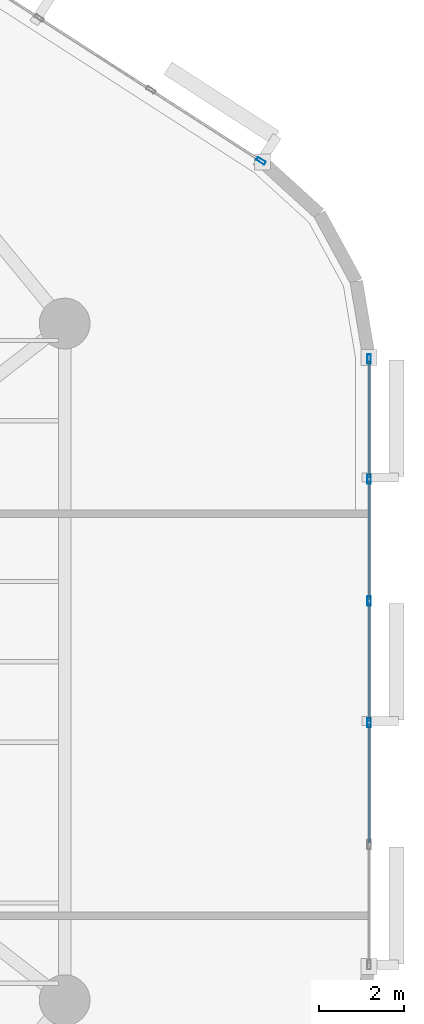
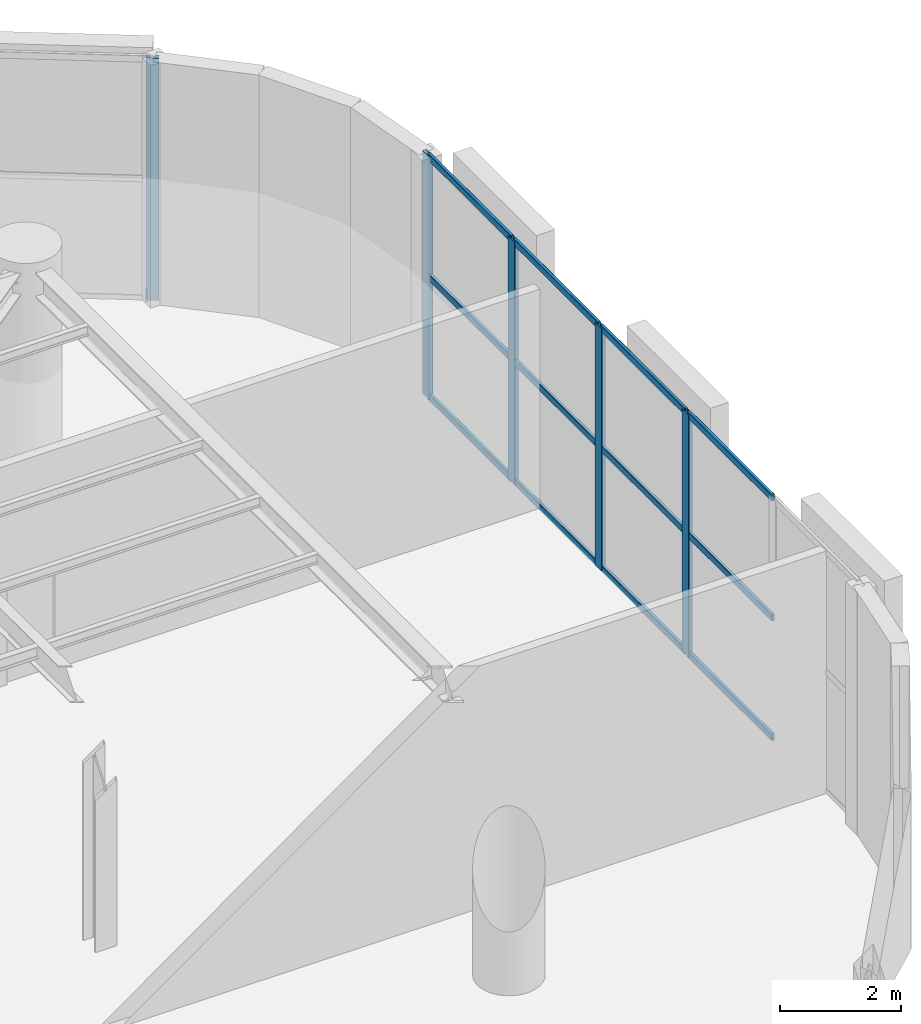
# One storey, part 4 of 12: 17 members, 2 elements without a shape of their own.
"""IFC4 building model written with IfcOpenShell, lengths in metres."""

import ifcopenshell
import ifcopenshell.guid

model = None  # the IFC model being written
_history = None  # IfcOwnerHistory: only IFC2X3 demands one
_inside = {}  # id of a spatial element -> (the spatial element, [elements in it])
_under = {}  # id of a project, library or spatial element -> (it, [spatial elements below it])
_declared = {}  # id of a project -> (the project, [libraries it declares])
_typed = {}  # id of a type object -> (the type object, [elements of that type])
_made_of = {}  # id of a material, layer set ... -> (it, [elements and type objects made of it])


def new_model(schema):
    """Start an empty IFC model of exactly this schema.

    Asked for "IFC4X3", IfcOpenShell would pick the latest addendum, in which some entities
    have other attributes; the version numbers below select the first issue.
    IFC2X3 requires an IfcOwnerHistory on every rooted entity: one is made here for all.
    """
    global model, _history
    if schema == "IFC4X3":
        model = ifcopenshell.file(schema_version=(4, 3, 0, 0))
    else:
        model = ifcopenshell.file(schema=schema)
    _inside.clear()
    _under.clear()
    _declared.clear()
    _typed.clear()
    _made_of.clear()
    _history = None
    if model.schema == "IFC2X3":
        org = make("IfcOrganization", Name="unknown")
        user = make(
            "IfcPersonAndOrganization",
            ThePerson=make("IfcPerson", FamilyName="unknown"),
            TheOrganization=org,
        )
        app = make(
            "IfcApplication",
            ApplicationDeveloper=org,
            Version="unknown",
            ApplicationFullName="unknown",
            ApplicationIdentifier="unknown",
        )
        _history = make(
            "IfcOwnerHistory",
            OwningUser=user,
            OwningApplication=app,
            ChangeAction="ADDED",
            CreationDate=0,
        )
    return model


def make(cls, **values):
    """One entity of the class cls with the attributes given. An attribute that is None is left unset."""
    return model.create_entity(
        cls, **{name: value for name, value in values.items() if value is not None}
    )


def rooted(cls, **values):
    """An entity with a GlobalId (a new one), such as an element, a storey or a relation."""
    return make(cls, GlobalId=ifcopenshell.guid.new(), OwnerHistory=_history, **values)


def si_unit(unit_type, name, prefix=None):
    """IfcSIUnit, for example si_unit("LENGTHUNIT", "METRE", prefix="MILLI")."""
    return make("IfcSIUnit", UnitType=unit_type, Prefix=prefix, Name=name)


def assignment(units):
    """IfcUnitAssignment: the units of a project."""
    return None if units is None else make("IfcUnitAssignment", Units=units)


def point(xyz):
    """IfcCartesianPoint."""
    return None if xyz is None else make("IfcCartesianPoint", Coordinates=xyz)


def direction(xyz):
    """IfcDirection."""
    return None if xyz is None else make("IfcDirection", DirectionRatios=xyz)


def frame(location, z_axis=None, x_axis=None):
    """IfcAxis2Placement3D, a coordinate frame: its origin and axes. An axis left out is left unset."""
    return make(
        "IfcAxis2Placement3D",
        Location=point(location),
        Axis=direction(z_axis),
        RefDirection=direction(x_axis),
    )


def frame_2d(location, x_axis=None):
    """IfcAxis2Placement2D, a coordinate frame in the plane: its origin and x axis."""
    return make(
        "IfcAxis2Placement2D", Location=point(location), RefDirection=direction(x_axis)
    )


def origin():
    """The frame at (0, 0, 0) with its axes left unset."""
    return frame((0.0, 0.0, 0.0))


def origin_2d():
    """The frame at (0, 0) in the plane with its x axis left unset."""
    return frame_2d((0.0, 0.0))


def place(relative_to, where):
    """IfcLocalPlacement: puts the frame where relative to a parent placement (None: the world)."""
    return make(
        "IfcLocalPlacement", PlacementRelTo=relative_to, RelativePlacement=where
    )


def context(
    kind, dimensions, precision=None, world=None, true_north=None, identifier=None
):
    """IfcGeometricRepresentationContext, for example the 3D "Model" context."""
    return make(
        "IfcGeometricRepresentationContext",
        ContextIdentifier=identifier,
        ContextType=kind,
        CoordinateSpaceDimension=dimensions,
        Precision=precision,
        WorldCoordinateSystem=world,
        TrueNorth=true_north,
    )


def subcontext(parent, identifier, kind, view, scale=None):
    """IfcGeometricRepresentationSubContext, for example "Body" below "Model"."""
    return make(
        "IfcGeometricRepresentationSubContext",
        ContextIdentifier=identifier,
        ContextType=kind,
        ParentContext=parent,
        TargetScale=scale,
        TargetView=view,
    )


def project(units=None, contexts=None):
    """IfcProject with its units and contexts."""
    return rooted(
        "IfcProject",
        Name="project",
        RepresentationContexts=contexts,
        UnitsInContext=assignment(units),
    )


def spatial(cls, under=None, at=None, **own):
    """A site, building, storey or space (cls), placed at a placement, below another one or the project."""
    s = rooted(cls, ObjectPlacement=at, **own)
    if under is not None:
        _under.setdefault(under.id(), (under, []))[1].append(s)
    return s


def profile(cls, at=None, kind="AREA", **sizes):
    """A parametric profile (cls). Its sizes go by their IFC names, for example OverallWidth=200.0."""
    return make(cls, ProfileType=kind, Position=at, **sizes)


def hollow_rectangle(**sizes):
    """IfcRectangleHollowProfileDef."""
    return profile("IfcRectangleHollowProfileDef", **sizes)


def extrude(swept, where, along, depth):
    """IfcExtrudedAreaSolid: the profile swept, set in the frame where, extruded along a direction by depth."""
    return make(
        "IfcExtrudedAreaSolid",
        SweptArea=swept,
        Position=where,
        ExtrudedDirection=direction(along),
        Depth=depth,
    )


def shape(context_of_items, identifier, shape_type, items):
    """IfcShapeRepresentation: the items that make up one representation, for example the "Body"."""
    return make(
        "IfcShapeRepresentation",
        ContextOfItems=context_of_items,
        RepresentationIdentifier=identifier,
        RepresentationType=shape_type,
        Items=items,
    )


def material(Name=None, Category=None):
    """IfcMaterial."""
    return make("IfcMaterial", Name=Name, Category=Category)


def layer(
    of_material, thickness, ventilated=None, Name=None, Category=None, Priority=None
):
    """IfcMaterialLayer: one layer of a wall or slab, of a material (None: an air gap)."""
    return make(
        "IfcMaterialLayer",
        Material=of_material,
        LayerThickness=thickness,
        IsVentilated=ventilated,
        Name=Name,
        Category=Category,
        Priority=Priority,
    )


def layer_set(layers, Name=None):
    """IfcMaterialLayerSet."""
    return make("IfcMaterialLayerSet", MaterialLayers=layers, LayerSetName=Name)


def material_profile(
    of_material, cross_section, Name=None, Category=None, Priority=None
):
    """IfcMaterialProfile: a cross section and its material."""
    return make(
        "IfcMaterialProfile",
        Name=Name,
        Material=of_material,
        Profile=cross_section,
        Priority=Priority,
        Category=Category,
    )


def profile_set(profiles, Name=None, composite=None):
    """IfcMaterialProfileSet."""
    return make(
        "IfcMaterialProfileSet",
        Name=Name,
        MaterialProfiles=profiles,
        CompositeProfile=composite,
    )


def made_of(thing, what):
    """Note that an element or type object is made of a material, layer set ...; save() writes the relation."""
    if what is not None:
        _made_of.setdefault(what.id(), (what, []))[1].append(thing)
    return thing


def type_object(cls, material=None, **own):
    """A type object (cls), such as IfcWallType, which elements share."""
    return made_of(rooted(cls, **own), material)


def element(
    cls,
    number,
    at=None,
    inside=None,
    cuts=None,
    type_object=None,
    material=None,
    context=None,
    identifier="Body",
    shape_type=None,
    held_by="IfcProductDefinitionShape",
    body=None,
    shapes=None,
    **own,
):
    """One element of the class cls, such as IfcWall. Its Tag is "e" and its number.

    at: its placement. inside: the storey or other place that contains it. cuts: it is an
    opening in that element (IfcRelVoidsElement). A single representation is given by context,
    identifier, shape_type and body (its items); several are given by shapes. held_by: the class
    of the entity that holds the representations. save() writes the other relations.
    """
    e = rooted(cls, Tag="e%d" % number, ObjectPlacement=at, **own)
    if body is not None:
        shapes = [shape(context, identifier, shape_type, body)]
    if shapes is not None:
        e.Representation = make(held_by, Representations=shapes)
    if inside is not None:
        _inside.setdefault(inside.id(), (inside, []))[1].append(e)
    if cuts is not None:
        rooted(
            "IfcRelVoidsElement", RelatingBuildingElement=cuts, RelatedOpeningElement=e
        )
    if type_object is not None:
        _typed.setdefault(type_object.id(), (type_object, []))[1].append(e)
    return made_of(e, material)


def aggregate(whole, parts):
    """IfcRelAggregates: a whole, such as a stair, and the parts it consists of."""
    return rooted("IfcRelAggregates", RelatingObject=whole, RelatedObjects=parts)


def save(model, path):
    """Write the relations noted so far, then the file.

    IfcRelAggregates (storeys below a building ...), IfcRelContainedInSpatialStructure (elements
    in a storey), IfcRelDefinesByType, IfcRelAssociatesMaterial and IfcRelDeclares: one each for
    every whole, place, type object, material and project.
    """
    for whole, parts in _under.values():
        aggregate(whole, parts)
    for where, things in _inside.values():
        rooted(
            "IfcRelContainedInSpatialStructure",
            RelatedElements=things,
            RelatingStructure=where,
        )
    for kind, things in _typed.values():
        rooted("IfcRelDefinesByType", RelatedObjects=things, RelatingType=kind)
    for what, things in _made_of.values():
        rooted("IfcRelAssociatesMaterial", RelatedObjects=things, RelatingMaterial=what)
    for by, libraries in _declared.values():
        rooted("IfcRelDeclares", RelatingContext=by, RelatedDefinitions=libraries)
    model.write(path)


model = new_model("IFC4")

# Units and contexts
model_context = context("Model", 3, precision=1e-05, world=origin(), true_north=direction((0.0, 1.0)))
body_context = subcontext(model_context, "Body", "Model", "MODEL_VIEW")
ifc_project = project(units=[si_unit("LENGTHUNIT", "METRE"), si_unit("AREAUNIT", "SQUARE_METRE"), si_unit("VOLUMEUNIT", "CUBIC_METRE"), si_unit("PLANEANGLEUNIT", "RADIAN"), si_unit("MASSUNIT", "GRAM", prefix="KILO")], contexts=[model_context])

# Site, building, storey
site_placement = place(None, origin())
site = spatial("IfcSite", under=ifc_project, at=site_placement, CompositionType="ELEMENT")
building_placement = place(site_placement, origin())
building = spatial("IfcBuilding", under=site, at=building_placement, Name="An Khanh Terracotta Commons", CompositionType="ELEMENT")
storey_placement = place(building_placement, frame((0.0, 0.0, 138.699951171875)))
storey = spatial("IfcBuildingStorey", under=building, at=storey_placement, Name="L36", CompositionType="ELEMENT", Elevation=138.699951171875)

# Curtain wall, members
ifc_material = material(Name="Anodised Aluminium 6063-T6", Category="aluminium")
ifc_layer = layer(ifc_material, 0.239990234375, Name="Anodised Aluminium 6063-T6")
ifc_layer_set = layer_set([ifc_layer], Name="Anodised Aluminium 6063-T6")
curtain_wall_type = type_object("IfcCurtainWallType", Name="CW-SYS-04", PredefinedType="USERDEFINED", material=ifc_layer_set)
curtain_wall_1_placement = place(storey_placement, origin())
curtain_wall_1 = element("IfcCurtainWall", 1, at=curtain_wall_1_placement, inside=storey, type_object=curtain_wall_type, Name="L36 CW-04 Unitised Curtain Wall CW-L36-12", ObjectType="UNITISED CURTAIN WALL", PredefinedType="USERDEFINED")
ifc_material_profile_1 = material_profile(ifc_material, hollow_rectangle(XDim=0.080078125, YDim=0.219970703125, WallThickness=0.0048828125, InnerFilletRadius=0.0048828125, OuterFilletRadius=0.010009765625, at=origin_2d()), Name="RHS220x80x5")
ifc_profile_set_1 = profile_set([ifc_material_profile_1], Name="Anodised Aluminium 6063-T6")
member_type_1 = type_object("IfcMemberType", Name="CWM-RHS220x80x5", PredefinedType="MULLION", material=ifc_profile_set_1)
member_1_placement = place(storey_placement, frame((63.0, 22.56005859375, 0.0), z_axis=(0.0, 0.0, 1.0), x_axis=(-1.0, 0.0, 0.0)))
member_1 = element("IfcMember", 2, at=member_1_placement, type_object=member_type_1, Name="CW-04 mullion 3", PredefinedType="MULLION", context=body_context, shape_type="SweptSolid", body=[
    extrude(hollow_rectangle(XDim=0.080078125, YDim=0.219970703125, WallThickness=0.0048828125, InnerFilletRadius=0.0048828125, OuterFilletRadius=0.010009765625, at=origin_2d()), origin(), (0.0, 0.0, 1.0), 4.900146484375),
])
member_2_placement = place(storey_placement, frame((63.0, 25.43994140625, 0.0), z_axis=(0.0, 0.0, 1.0), x_axis=(-1.0, 0.0, 0.0)))
member_2 = element("IfcMember", 3, at=member_2_placement, type_object=member_type_1, Name="CW-04 mullion 4", PredefinedType="MULLION", context=body_context, shape_type="SweptSolid", body=[
    extrude(hollow_rectangle(XDim=0.080078125, YDim=0.219970703125, WallThickness=0.0048828125, InnerFilletRadius=0.0048828125, OuterFilletRadius=0.010009765625, at=origin_2d()), origin(), (0.0, 0.0, 1.0), 4.900146484375),
])
member_3_placement = place(storey_placement, frame((63.0, 28.320068359375, 0.0), z_axis=(0.0, 0.0, 1.0), x_axis=(-1.0, 0.0, 0.0)))
member_3 = element("IfcMember", 4, at=member_3_placement, type_object=member_type_1, Name="CW-04 mullion 5", PredefinedType="MULLION", context=body_context, shape_type="SweptSolid", body=[
    extrude(hollow_rectangle(XDim=0.080078125, YDim=0.219970703125, WallThickness=0.0048828125, InnerFilletRadius=0.0048828125, OuterFilletRadius=0.010009765625, at=origin_2d()), origin(), (0.0, 0.0, 1.0), 4.900146484375),
])
member_4_placement = place(storey_placement, frame((63.0, 31.159912109375, 0.0), z_axis=(0.0, 0.0, 1.0), x_axis=(-1.0, 0.0, 0.0)))
member_4 = element("IfcMember", 5, at=member_4_placement, type_object=member_type_1, Name="CW-04 mullion 6", PredefinedType="MULLION", context=body_context, shape_type="SweptSolid", body=[
    extrude(hollow_rectangle(XDim=0.080078125, YDim=0.219970703125, WallThickness=0.0048828125, InnerFilletRadius=0.0048828125, OuterFilletRadius=0.010009765625, at=origin_2d()), origin(), (0.0, 0.0, 1.0), 4.900146484375),
])

# Curtain wall, member
curtain_wall_2_placement = place(storey_placement, origin())
curtain_wall_2 = element("IfcCurtainWall", 6, at=curtain_wall_2_placement, inside=storey, type_object=curtain_wall_type, Name="L36 CW-04 Unitised Curtain Wall CW-L36-16", ObjectType="UNITISED CURTAIN WALL", PredefinedType="USERDEFINED")
member_5_placement = place(storey_placement, frame((60.4443359375, 35.845703125, 0.0), z_axis=(0.0, 0.0, 1.0), x_axis=(-0.541497931062, -0.840702081986, 0.0)))
member_5 = element("IfcMember", 7, at=member_5_placement, type_object=member_type_1, Name="CW-04 mullion 1", PredefinedType="MULLION", context=body_context, shape_type="SweptSolid", body=[
    extrude(hollow_rectangle(XDim=0.080078125, YDim=0.219970703125, WallThickness=0.0048828125, InnerFilletRadius=0.0048828125, OuterFilletRadius=0.010009765625, at=origin_2d()), origin(), (0.0, 0.0, 1.0), 4.900146484375),
])
aggregate(curtain_wall_2, [member_5])

# Member
ifc_material_profile_2 = material_profile(ifc_material, hollow_rectangle(XDim=0.06005859375, YDim=0.135009765625, WallThickness=0.003662109375, InnerFilletRadius=0.003662109375, OuterFilletRadius=0.007080078125, at=origin_2d()), Name="RHS135x60x3.6")
ifc_profile_set_2 = profile_set([ifc_material_profile_2], Name="Anodised Aluminium 6063-T6")
member_type_2 = type_object("IfcMemberType", Name="CWT-RHS135x60x3.6", PredefinedType="USERDEFINED", material=ifc_profile_set_2)
member_6_placement = place(storey_placement, frame((63.0, 19.719970703125, 0.030029296875), z_axis=(0.0, 1.0, 0.0), x_axis=(-1.0, 0.0, 0.0)))
member_6 = element("IfcMember", 8, at=member_6_placement, type_object=member_type_2, Name="CW-04 transom 2.1", ObjectType="TRANSOM", PredefinedType="USERDEFINED", context=body_context, shape_type="SweptSolid", body=[
    extrude(hollow_rectangle(XDim=0.06005859375, YDim=0.135009765625, WallThickness=0.003662109375, InnerFilletRadius=0.003662109375, OuterFilletRadius=0.007080078125, at=origin_2d()), origin(), (0.0, 0.0, 1.0), 2.800048828125),
])

member_7_placement = place(storey_placement, frame((63.0, 19.719970703125, 2.449951171875), z_axis=(0.0, 1.0, 0.0), x_axis=(-1.0, 0.0, 0.0)))
member_7 = element("IfcMember", 9, at=member_7_placement, type_object=member_type_2, Name="CW-04 transom 2.2", ObjectType="TRANSOM", PredefinedType="USERDEFINED", context=body_context, shape_type="SweptSolid", body=[
    extrude(hollow_rectangle(XDim=0.06005859375, YDim=0.135009765625, WallThickness=0.003662109375, InnerFilletRadius=0.003662109375, OuterFilletRadius=0.007080078125, at=origin_2d()), origin(), (0.0, 0.0, 1.0), 2.800048828125),
])

member_8_placement = place(storey_placement, frame((63.0, 19.719970703125, 4.8701171875), z_axis=(0.0, 1.0, 0.0), x_axis=(-1.0, 0.0, 0.0)))
member_8 = element("IfcMember", 10, at=member_8_placement, type_object=member_type_2, Name="CW-04 transom 2.3", ObjectType="TRANSOM", PredefinedType="USERDEFINED", context=body_context, shape_type="SweptSolid", body=[
    extrude(hollow_rectangle(XDim=0.06005859375, YDim=0.135009765625, WallThickness=0.003662109375, InnerFilletRadius=0.003662109375, OuterFilletRadius=0.007080078125, at=origin_2d()), origin(), (0.0, 0.0, 1.0), 2.800048828125),
])

member_9_placement = place(storey_placement, frame((63.0, 22.60009765625, 0.030029296875), z_axis=(0.0, 1.0, 0.0), x_axis=(-1.0, 0.0, 0.0)))
member_9 = element("IfcMember", 11, at=member_9_placement, type_object=member_type_2, Name="CW-04 transom 3.1", ObjectType="TRANSOM", PredefinedType="USERDEFINED", context=body_context, shape_type="SweptSolid", body=[
    extrude(hollow_rectangle(XDim=0.06005859375, YDim=0.135009765625, WallThickness=0.003662109375, InnerFilletRadius=0.003662109375, OuterFilletRadius=0.007080078125, at=origin_2d()), origin(), (0.0, 0.0, 1.0), 2.7998046875),
])

member_10_placement = place(storey_placement, frame((63.0, 22.60009765625, 2.449951171875), z_axis=(0.0, 1.0, 0.0), x_axis=(-1.0, 0.0, 0.0)))
member_10 = element("IfcMember", 12, at=member_10_placement, type_object=member_type_2, Name="CW-04 transom 3.2", ObjectType="TRANSOM", PredefinedType="USERDEFINED", context=body_context, shape_type="SweptSolid", body=[
    extrude(hollow_rectangle(XDim=0.06005859375, YDim=0.135009765625, WallThickness=0.003662109375, InnerFilletRadius=0.003662109375, OuterFilletRadius=0.007080078125, at=origin_2d()), origin(), (0.0, 0.0, 1.0), 2.7998046875),
])

member_11_placement = place(storey_placement, frame((63.0, 22.60009765625, 4.8701171875), z_axis=(0.0, 1.0, 0.0), x_axis=(-1.0, 0.0, 0.0)))
member_11 = element("IfcMember", 13, at=member_11_placement, type_object=member_type_2, Name="CW-04 transom 3.3", ObjectType="TRANSOM", PredefinedType="USERDEFINED", context=body_context, shape_type="SweptSolid", body=[
    extrude(hollow_rectangle(XDim=0.06005859375, YDim=0.135009765625, WallThickness=0.003662109375, InnerFilletRadius=0.003662109375, OuterFilletRadius=0.007080078125, at=origin_2d()), origin(), (0.0, 0.0, 1.0), 2.7998046875),
])

member_12_placement = place(storey_placement, frame((63.0, 25.47998046875, 0.030029296875), z_axis=(0.0, 1.0, 0.0), x_axis=(-1.0, 0.0, 0.0)))
member_12 = element("IfcMember", 14, at=member_12_placement, type_object=member_type_2, Name="CW-04 transom 4.1", ObjectType="TRANSOM", PredefinedType="USERDEFINED", context=body_context, shape_type="SweptSolid", body=[
    extrude(hollow_rectangle(XDim=0.06005859375, YDim=0.135009765625, WallThickness=0.003662109375, InnerFilletRadius=0.003662109375, OuterFilletRadius=0.007080078125, at=origin_2d()), origin(), (0.0, 0.0, 1.0), 2.800048828125),
])

member_13_placement = place(storey_placement, frame((63.0, 25.47998046875, 2.449951171875), z_axis=(0.0, 1.0, 0.0), x_axis=(-1.0, 0.0, 0.0)))
member_13 = element("IfcMember", 15, at=member_13_placement, type_object=member_type_2, Name="CW-04 transom 4.2", ObjectType="TRANSOM", PredefinedType="USERDEFINED", context=body_context, shape_type="SweptSolid", body=[
    extrude(hollow_rectangle(XDim=0.06005859375, YDim=0.135009765625, WallThickness=0.003662109375, InnerFilletRadius=0.003662109375, OuterFilletRadius=0.007080078125, at=origin_2d()), origin(), (0.0, 0.0, 1.0), 2.800048828125),
])

member_14_placement = place(storey_placement, frame((63.0, 25.47998046875, 4.8701171875), z_axis=(0.0, 1.0, 0.0), x_axis=(-1.0, 0.0, 0.0)))
member_14 = element("IfcMember", 16, at=member_14_placement, type_object=member_type_2, Name="CW-04 transom 4.3", ObjectType="TRANSOM", PredefinedType="USERDEFINED", context=body_context, shape_type="SweptSolid", body=[
    extrude(hollow_rectangle(XDim=0.06005859375, YDim=0.135009765625, WallThickness=0.003662109375, InnerFilletRadius=0.003662109375, OuterFilletRadius=0.007080078125, at=origin_2d()), origin(), (0.0, 0.0, 1.0), 2.800048828125),
])

member_15_placement = place(storey_placement, frame((63.0, 28.360107421875, 0.030029296875), z_axis=(0.0, 1.0, 0.0), x_axis=(-1.0, 0.0, 0.0)))
member_15 = element("IfcMember", 17, at=member_15_placement, type_object=member_type_2, Name="CW-04 transom 5.1", ObjectType="TRANSOM", PredefinedType="USERDEFINED", context=body_context, shape_type="SweptSolid", body=[
    extrude(hollow_rectangle(XDim=0.06005859375, YDim=0.135009765625, WallThickness=0.003662109375, InnerFilletRadius=0.003662109375, OuterFilletRadius=0.007080078125, at=origin_2d()), origin(), (0.0, 0.0, 1.0), 2.760009765625),
])

member_16_placement = place(storey_placement, frame((63.0, 28.360107421875, 2.449951171875), z_axis=(0.0, 1.0, 0.0), x_axis=(-1.0, 0.0, 0.0)))
member_16 = element("IfcMember", 18, at=member_16_placement, type_object=member_type_2, Name="CW-04 transom 5.2", ObjectType="TRANSOM", PredefinedType="USERDEFINED", context=body_context, shape_type="SweptSolid", body=[
    extrude(hollow_rectangle(XDim=0.06005859375, YDim=0.135009765625, WallThickness=0.003662109375, InnerFilletRadius=0.003662109375, OuterFilletRadius=0.007080078125, at=origin_2d()), origin(), (0.0, 0.0, 1.0), 2.760009765625),
])

member_17_placement = place(storey_placement, frame((63.0, 28.360107421875, 4.8701171875), z_axis=(0.0, 1.0, 0.0), x_axis=(-1.0, 0.0, 0.0)))
member_17 = element("IfcMember", 19, at=member_17_placement, type_object=member_type_2, Name="CW-04 transom 5.3", ObjectType="TRANSOM", PredefinedType="USERDEFINED", context=body_context, shape_type="SweptSolid", body=[
    extrude(hollow_rectangle(XDim=0.06005859375, YDim=0.135009765625, WallThickness=0.003662109375, InnerFilletRadius=0.003662109375, OuterFilletRadius=0.007080078125, at=origin_2d()), origin(), (0.0, 0.0, 1.0), 2.760009765625),
])

aggregate(curtain_wall_1, [member_1, member_2, member_3, member_4, member_6, member_7, member_8, member_9, member_10, member_11, member_12, member_13, member_14, member_15, member_16, member_17])

save(model, "model.ifc")
